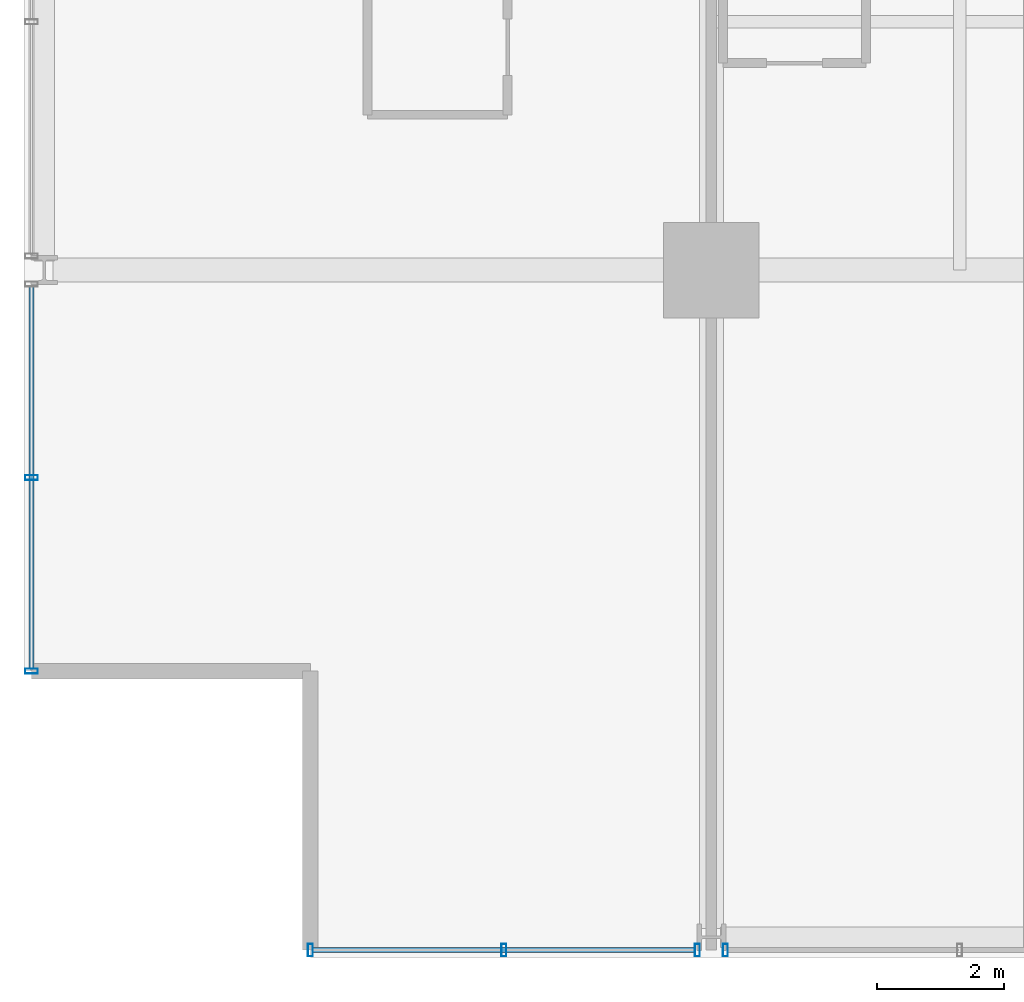
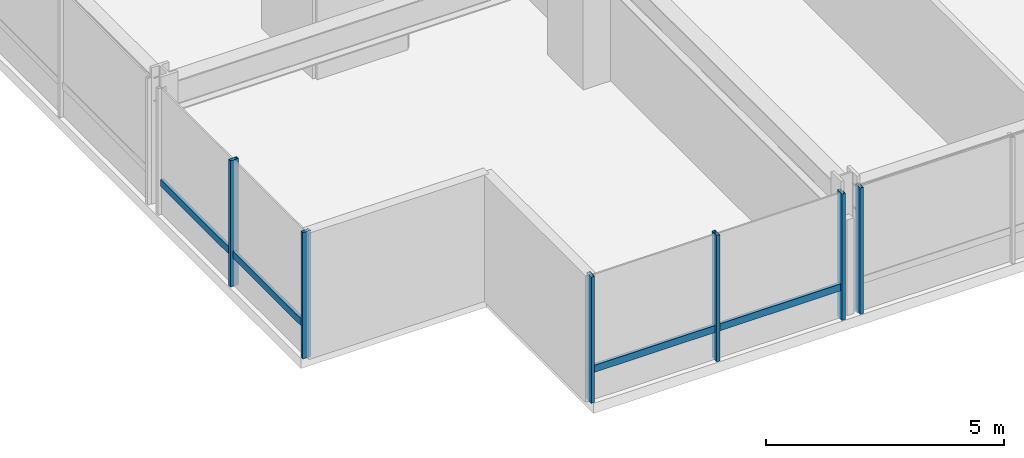
# One storey, part 2 of 34: 8 members, 3 elements without a shape of their own.
"""IFC4 building model written with IfcOpenShell, lengths in metres."""

from ifc_helpers import new_model, si_unit, direction, frame, origin, origin_2d, place, context, subcontext, project, spatial, hollow_rectangle, extrude, material, layer, layer_set, material_profile, profile_set, type_object, element, aggregate, save


model = new_model("IFC4")

# Units and contexts
model_context = context("Model", 3, precision=1e-05, world=origin(), true_north=direction((0.0, 1.0)))
body_context = subcontext(model_context, "Body", "Model", "MODEL_VIEW")
ifc_project = project(units=[si_unit("LENGTHUNIT", "METRE"), si_unit("AREAUNIT", "SQUARE_METRE"), si_unit("VOLUMEUNIT", "CUBIC_METRE"), si_unit("PLANEANGLEUNIT", "RADIAN"), si_unit("MASSUNIT", "GRAM", prefix="KILO")], contexts=[model_context])

# Site, building, storey
site_placement = place(None, origin())
site = spatial("IfcSite", under=ifc_project, at=site_placement, CompositionType="ELEMENT")
building_placement = place(site_placement, origin())
building = spatial("IfcBuilding", under=site, at=building_placement, Name="Drelvath Grand Hotel", CompositionType="ELEMENT")
storey_placement = place(building_placement, frame((0.0, 0.0, 112.800048828125)))
storey = spatial("IfcBuildingStorey", under=building, at=storey_placement, Name="L28", CompositionType="ELEMENT", Elevation=112.800048828125)

# Curtain wall, member
ifc_material = material(Name="Champagne Bronze Anodised Aluminium Frame", Category="aluminium")
ifc_layer = layer(ifc_material, 0.199951171875)
ifc_layer_set = layer_set([ifc_layer], Name="Champagne Bronze Anodised Aluminium Frame")
curtain_wall_type = type_object("IfcCurtainWallType", Name="Stick Curtain Wall CW-03 Champagne Bronze Mid-Rise", PredefinedType="NOTDEFINED", material=ifc_layer_set)
curtain_wall_1_placement = place(storey_placement, origin())
curtain_wall_1 = element("IfcCurtainWall", 1, at=curtain_wall_1_placement, inside=storey, type_object=curtain_wall_type, Name="L28 CW-03 Curtain Wall CW03-L28-WS1", PredefinedType="NOTDEFINED")
ifc_material_profile_1 = material_profile(ifc_material, hollow_rectangle(XDim=0.074951171875, YDim=0.179931640625, WallThickness=0.0048828125, at=origin_2d()), Name="HSS180X75X5")
ifc_profile_set_1 = profile_set([ifc_material_profile_1], Name="Champagne Bronze Anodised Aluminium Frame")
member_type_1 = type_object("IfcMemberType", Name="Curtain Wall Horizontal Transom CW-03 HSS180X75X5", PredefinedType="USERDEFINED", material=ifc_profile_set_1)
member_1_placement = place(storey_placement, frame((-26.8798828125, 4.5400390625, 0.81005859375), z_axis=(0.0, 1.0, 0.0), x_axis=(-1.0, 0.0, 0.0)))
member_1 = element("IfcMember", 2, at=member_1_placement, type_object=member_type_1, Name="CW03-L28-WS1 Sill Transom", ObjectType="TRANSOM", PredefinedType="USERDEFINED", context=body_context, shape_type="SweptSolid", body=[
    extrude(hollow_rectangle(XDim=0.074951171875, YDim=0.179931640625, WallThickness=0.0048828125, at=origin_2d()), origin(), (0.0, 0.0, 1.0), 6.000244140625),
])

curtain_wall_2_placement = place(storey_placement, origin())
curtain_wall_2 = element("IfcCurtainWall", 3, at=curtain_wall_2_placement, inside=storey, type_object=curtain_wall_type, Name="L28 CW-03 Curtain Wall CW03-L28-SW1", PredefinedType="NOTDEFINED")
member_2_placement = place(storey_placement, frame((-16.459716796875, 0.1201171875, 0.81005859375), z_axis=(-1.0, 0.0, 0.0), x_axis=(0.0, -1.0, 0.0)))
member_2 = element("IfcMember", 4, at=member_2_placement, type_object=member_type_1, Name="CW03-L28-SW1 Sill Transom", ObjectType="TRANSOM", PredefinedType="USERDEFINED", context=body_context, shape_type="SweptSolid", body=[
    extrude(hollow_rectangle(XDim=0.074951171875, YDim=0.179931640625, WallThickness=0.0048828125, at=origin_2d()), origin(), (0.0, 0.0, 1.0), 6.000244140625),
])

# Member
ifc_material_profile_2 = material_profile(ifc_material, hollow_rectangle(XDim=0.080078125, YDim=0.199951171875, WallThickness=0.0048828125, at=origin_2d()), Name="HSS200X80X5")
ifc_profile_set_2 = profile_set([ifc_material_profile_2], Name="Champagne Bronze Anodised Aluminium Frame")
member_type_2 = type_object("IfcMemberType", Name="Curtain Wall Vertical Mullion CW-03 HSS200X80X5", PredefinedType="MULLION", material=ifc_profile_set_2)
member_3_placement = place(storey_placement, frame((-26.8798828125, 4.5, 0.0), z_axis=(0.0, 0.0, 1.0), x_axis=(0.0, 1.0, 0.0)))
member_3 = element("IfcMember", 5, at=member_3_placement, type_object=member_type_2, Name="CW03-L28-WS1 Mullion 1", PredefinedType="MULLION", context=body_context, shape_type="SweptSolid", body=[
    extrude(hollow_rectangle(XDim=0.080078125, YDim=0.199951171875, WallThickness=0.0048828125, at=origin_2d()), origin(), (0.0, 0.0, 1.0), 3.239990234375),
])

member_4_placement = place(storey_placement, frame((-26.8798828125, 7.540283203125, 0.0), z_axis=(0.0, 0.0, 1.0), x_axis=(0.0, 1.0, 0.0)))
member_4 = element("IfcMember", 6, at=member_4_placement, type_object=member_type_2, Name="CW03-L28-WS1 Mullion 2", PredefinedType="MULLION", context=body_context, shape_type="SweptSolid", body=[
    extrude(hollow_rectangle(XDim=0.080078125, YDim=0.199951171875, WallThickness=0.0048828125, at=origin_2d()), origin(), (0.0, 0.0, 1.0), 3.239990234375),
])

aggregate(curtain_wall_1, [member_3, member_4, member_1])

member_5_placement = place(storey_placement, frame((-16.419677734375, 0.1201171875, 0.0), z_axis=(0.0, 0.0, 1.0), x_axis=(1.0, 0.0, 0.0)))
member_5 = element("IfcMember", 7, at=member_5_placement, type_object=member_type_2, Name="CW03-L28-SW1 Mullion 1", PredefinedType="MULLION", context=body_context, shape_type="SweptSolid", body=[
    extrude(hollow_rectangle(XDim=0.080078125, YDim=0.199951171875, WallThickness=0.0048828125, at=origin_2d()), origin(), (0.0, 0.0, 1.0), 3.239990234375),
])

member_6_placement = place(storey_placement, frame((-19.459716796875, 0.1201171875, 0.0), z_axis=(0.0, 0.0, 1.0), x_axis=(1.0, 0.0, 0.0)))
member_6 = element("IfcMember", 8, at=member_6_placement, type_object=member_type_2, Name="CW03-L28-SW1 Mullion 2", PredefinedType="MULLION", context=body_context, shape_type="SweptSolid", body=[
    extrude(hollow_rectangle(XDim=0.080078125, YDim=0.199951171875, WallThickness=0.0048828125, at=origin_2d()), origin(), (0.0, 0.0, 1.0), 3.239990234375),
])

member_7_placement = place(storey_placement, frame((-22.5, 0.1201171875, 0.0), z_axis=(0.0, 0.0, 1.0), x_axis=(1.0, 0.0, 0.0)))
member_7 = element("IfcMember", 9, at=member_7_placement, type_object=member_type_2, Name="CW03-L28-SW1 Mullion 3", PredefinedType="MULLION", context=body_context, shape_type="SweptSolid", body=[
    extrude(hollow_rectangle(XDim=0.080078125, YDim=0.199951171875, WallThickness=0.0048828125, at=origin_2d()), origin(), (0.0, 0.0, 1.0), 3.239990234375),
])

aggregate(curtain_wall_2, [member_5, member_6, member_7, member_2])

# Curtain wall, member
curtain_wall_3_placement = place(storey_placement, origin())
curtain_wall_3 = element("IfcCurtainWall", 10, at=curtain_wall_3_placement, inside=storey, type_object=curtain_wall_type, Name="L28 CW-03 Curtain Wall CW03-L28-SW2", PredefinedType="NOTDEFINED")
member_8_placement = place(storey_placement, frame((-15.98046875, 0.1201171875, 0.0), z_axis=(0.0, 0.0, 1.0), x_axis=(1.0, 0.0, 0.0)))
member_8 = element("IfcMember", 11, at=member_8_placement, type_object=member_type_2, Name="CW03-L28-SW2 Mullion 3", PredefinedType="MULLION", context=body_context, shape_type="SweptSolid", body=[
    extrude(hollow_rectangle(XDim=0.080078125, YDim=0.199951171875, WallThickness=0.0048828125, at=origin_2d()), origin(), (0.0, 0.0, 1.0), 3.239990234375),
])
aggregate(curtain_wall_3, [member_8])

save(model, "model.ifc")
